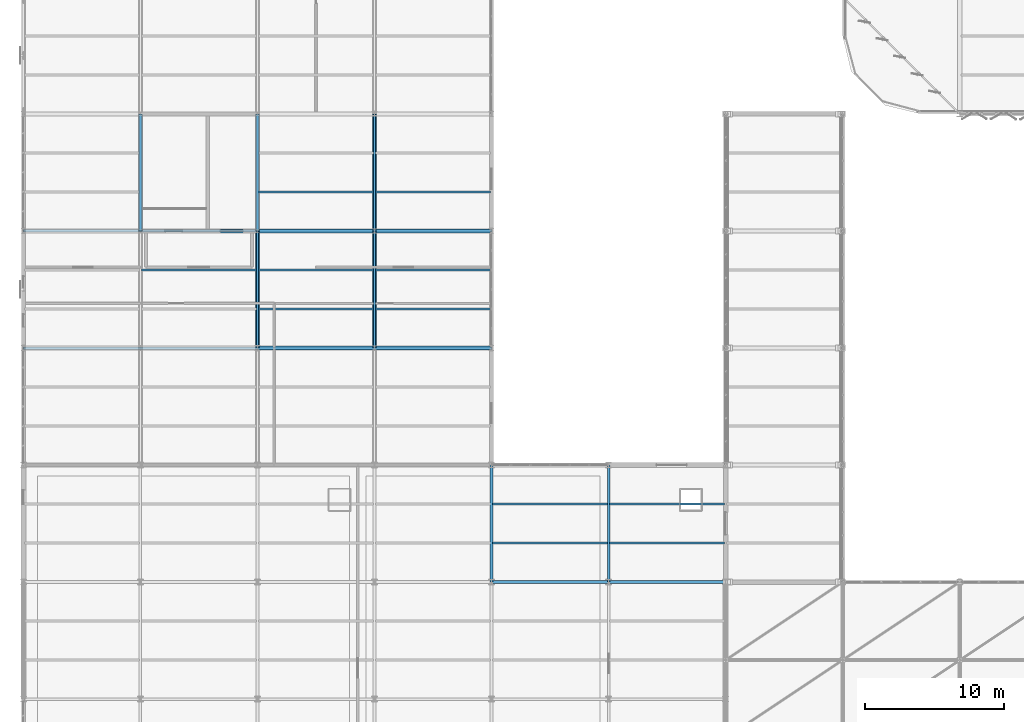
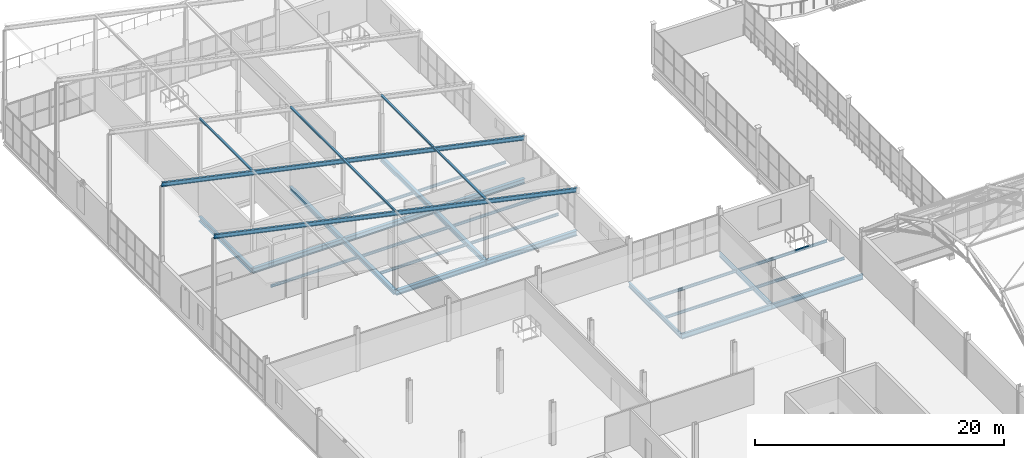
# One storey, part 52 of 184: 27 beams, 5 members.
"""IFC4 building model written with IfcOpenShell, lengths in metres."""

from ifc_helpers import new_model, si_unit, direction, frame, origin, origin_2d, place, context, subcontext, project, spatial, i_section, extrude, material, material_profile, profile_set, type_object, element, save


model = new_model("IFC4")

# Units and contexts
model_context = context("Model", 3, precision=1e-05, world=origin(), true_north=direction((0.0, 1.0)))
body_context = subcontext(model_context, "Body", "Model", "MODEL_VIEW")
ifc_project = project(units=[si_unit("LENGTHUNIT", "METRE"), si_unit("AREAUNIT", "SQUARE_METRE"), si_unit("VOLUMEUNIT", "CUBIC_METRE"), si_unit("PLANEANGLEUNIT", "RADIAN"), si_unit("MASSUNIT", "GRAM", prefix="KILO")], contexts=[model_context])

# Site, building, storey
site_placement = place(None, origin())
site = spatial("IfcSite", under=ifc_project, at=site_placement, CompositionType="ELEMENT")
building_placement = place(site_placement, origin())
building = spatial("IfcBuilding", under=site, at=building_placement, Name="Qalvenar Corner Mobility Hub", CompositionType="ELEMENT")
storey_placement = place(building_placement, frame((0.0, 0.0, 9.0)))
storey = spatial("IfcBuildingStorey", under=building, at=storey_placement, Name="L02", CompositionType="ELEMENT", Elevation=9.0)

# Beams
ifc_material = material(Name="Steel S355", Category="steel")
ifc_material_profile_1 = material_profile(ifc_material, i_section(OverallWidth=0.300048828125, OverallDepth=0.43994140625, WebThickness=0.011474609375, FlangeThickness=0.02099609375, FilletRadius=0.027099609375, at=origin_2d()), Name="HEA450")
ifc_profile_set_1 = profile_set([ifc_material_profile_1], Name="Steel S355")
beam_type_1 = type_object("IfcBeamType", Name="BM-HEA450", PredefinedType="BEAM", material=ifc_profile_set_1)
beam_1_placement = place(storey_placement, frame((8.39990234375, 58.800048828125, -0.39990234375), z_axis=(0.0, 1.0, 0.0), x_axis=(-1.0, 0.0, 0.0)))
element("IfcBeam", 1, at=beam_1_placement, inside=storey, type_object=beam_type_1, Name="Primary Steel Girder GY-1846", PredefinedType="BEAM", context=body_context, shape_type="SweptSolid", body=[
    extrude(i_section(OverallWidth=0.300048828125, OverallDepth=0.43994140625, WebThickness=0.011474609375, FlangeThickness=0.02099609375, FilletRadius=0.027099609375, at=origin_2d()), origin(), (0.0, 0.0, 1.0), 8.39990234375),
])
beam_2_placement = place(storey_placement, frame((16.800048828125, 50.39990234375, -0.39990234375), z_axis=(0.0, 1.0, 0.0), x_axis=(-1.0, 0.0, 0.0)))
element("IfcBeam", 2, at=beam_2_placement, inside=storey, type_object=beam_type_1, Name="Primary Steel Girder GY-1850", PredefinedType="BEAM", context=body_context, shape_type="SweptSolid", body=[
    extrude(i_section(OverallWidth=0.300048828125, OverallDepth=0.43994140625, WebThickness=0.011474609375, FlangeThickness=0.02099609375, FilletRadius=0.027099609375, at=origin_2d()), origin(), (0.0, 0.0, 1.0), 8.400146484375),
])
beam_3_placement = place(storey_placement, frame((16.800048828125, 58.800048828125, -0.39990234375), z_axis=(0.0, 1.0, 0.0), x_axis=(-1.0, 0.0, 0.0)))
element("IfcBeam", 3, at=beam_3_placement, inside=storey, type_object=beam_type_1, Name="Primary Steel Girder GY-1851", PredefinedType="BEAM", context=body_context, shape_type="SweptSolid", body=[
    extrude(i_section(OverallWidth=0.300048828125, OverallDepth=0.43994140625, WebThickness=0.011474609375, FlangeThickness=0.02099609375, FilletRadius=0.027099609375, at=origin_2d()), origin(), (0.0, 0.0, 1.0), 8.39990234375),
])
beam_4_placement = place(storey_placement, frame((25.199951171875, 50.39990234375, -0.39990234375), z_axis=(0.0, 1.0, 0.0), x_axis=(-1.0, 0.0, 0.0)))
element("IfcBeam", 4, at=beam_4_placement, inside=storey, type_object=beam_type_1, Name="Primary Steel Girder GY-1855", PredefinedType="BEAM", context=body_context, shape_type="SweptSolid", body=[
    extrude(i_section(OverallWidth=0.300048828125, OverallDepth=0.43994140625, WebThickness=0.011474609375, FlangeThickness=0.02099609375, FilletRadius=0.027099609375, at=origin_2d()), origin(), (0.0, 0.0, 1.0), 8.400146484375),
])
beam_5_placement = place(storey_placement, frame((25.199951171875, 58.800048828125, -0.39990234375), z_axis=(0.0, 1.0, 0.0), x_axis=(-1.0, 0.0, 0.0)))
element("IfcBeam", 5, at=beam_5_placement, inside=storey, type_object=beam_type_1, Name="Primary Steel Girder GY-1856", PredefinedType="BEAM", context=body_context, shape_type="SweptSolid", body=[
    extrude(i_section(OverallWidth=0.300048828125, OverallDepth=0.43994140625, WebThickness=0.011474609375, FlangeThickness=0.02099609375, FilletRadius=0.027099609375, at=origin_2d()), origin(), (0.0, 0.0, 1.0), 8.39990234375),
])
ifc_material_profile_2 = material_profile(ifc_material, i_section(OverallWidth=0.300048828125, OverallDepth=0.489990234375, WebThickness=0.011962890625, FlangeThickness=0.02294921875, FilletRadius=0.027099609375, at=origin_2d()), Name="HEA500")
ifc_profile_set_2 = profile_set([ifc_material_profile_2], Name="Steel S355")
beam_type_2 = type_object("IfcBeamType", Name="BM-HEA500", PredefinedType="BEAM", material=ifc_profile_set_2)
beam_6_placement = place(storey_placement, frame((16.800048828125, 50.39990234375, -0.425048828125), z_axis=(1.0, 0.0, 0.0), x_axis=(0.0, 1.0, 0.0)))
element("IfcBeam", 6, at=beam_6_placement, inside=storey, type_object=beam_type_2, Name="Primary Steel Girder GX-1821", PredefinedType="BEAM", context=body_context, shape_type="SweptSolid", body=[
    extrude(i_section(OverallWidth=0.300048828125, OverallDepth=0.489990234375, WebThickness=0.011962890625, FlangeThickness=0.02294921875, FilletRadius=0.027099609375, at=origin_2d()), origin(), (0.0, 0.0, 1.0), 8.39990234375),
])
for number, where, z_axis, x_axis, name in (
    (7, (25.199951171875, 50.39990234375, -0.425048828125), (1.0, 0.0, 0.0), (0.0, 1.0, 0.0), "Primary Steel Girder GX-1822"),
    (8, (8.39990234375, 58.800048828125, -0.425048828125), (1.0, 0.0, 0.0), (0.0, 1.0, 0.0), "Primary Steel Girder GX-1824"),
):
    element("IfcBeam", number, at=place(storey_placement, frame(where, z_axis=z_axis, x_axis=x_axis)), inside=storey, type_object=beam_type_2, Name=name, PredefinedType="BEAM", context=body_context, shape_type="SweptSolid", body=[
        extrude(i_section(OverallWidth=0.300048828125, OverallDepth=0.489990234375, WebThickness=0.011962890625, FlangeThickness=0.02294921875, FilletRadius=0.027099609375, at=origin_2d()), origin(), (0.0, 0.0, 1.0), 8.400146484375),
    ])
beam_7_placement = place(storey_placement, frame((16.800048828125, 58.800048828125, -0.425048828125), z_axis=(1.0, 0.0, 0.0), x_axis=(0.0, 1.0, 0.0)))
element("IfcBeam", 9, at=beam_7_placement, inside=storey, type_object=beam_type_2, Name="Primary Steel Girder GX-1825", PredefinedType="BEAM", context=body_context, shape_type="SweptSolid", body=[
    extrude(i_section(OverallWidth=0.300048828125, OverallDepth=0.489990234375, WebThickness=0.011962890625, FlangeThickness=0.02294921875, FilletRadius=0.027099609375, at=origin_2d()), origin(), (0.0, 0.0, 1.0), 8.39990234375),
])
beam_8_placement = place(storey_placement, frame((25.199951171875, 58.800048828125, -0.425048828125), z_axis=(1.0, 0.0, 0.0), x_axis=(0.0, 1.0, 0.0)))
element("IfcBeam", 10, at=beam_8_placement, inside=storey, type_object=beam_type_2, Name="Primary Steel Girder GX-1826", PredefinedType="BEAM", context=body_context, shape_type="SweptSolid", body=[
    extrude(i_section(OverallWidth=0.300048828125, OverallDepth=0.489990234375, WebThickness=0.011962890625, FlangeThickness=0.02294921875, FilletRadius=0.027099609375, at=origin_2d()), origin(), (0.0, 0.0, 1.0), 8.400146484375),
])
ifc_material_profile_3 = material_profile(ifc_material, i_section(OverallWidth=0.179931640625, OverallDepth=0.39990234375, WebThickness=0.008544921875, FlangeThickness=0.013427734375, FilletRadius=0.02099609375, at=origin_2d()), Name="IPE400")
ifc_profile_set_3 = profile_set([ifc_material_profile_3], Name="Steel S355")
beam_type_3 = type_object("IfcBeamType", Name="BM-IPE400", PredefinedType="BEAM", material=ifc_profile_set_3)
for number, where, z_axis, x_axis, name in (
    (11, (0.0, 50.39990234375, 10.93994140625), (0.977802829965, 0.0, -0.209527147912), (0.0, 1.0, 0.0), "Bicycle Hall Rafter V5RF-2"),
    (12, (0.0, 58.800048828125, 10.93994140625), (0.977802829965, 0.0, -0.209527147912), (0.0, 1.0, 0.0), "Bicycle Hall Rafter V5RF-3"),
):
    element("IfcBeam", number, at=place(storey_placement, frame(where, z_axis=z_axis, x_axis=x_axis)), inside=storey, type_object=beam_type_3, Name=name, PredefinedType="BEAM", context=body_context, shape_type="SweptSolid", body=[
        extrude(i_section(OverallWidth=0.179931640625, OverallDepth=0.39990234375, WebThickness=0.008544921875, FlangeThickness=0.013427734375, FilletRadius=0.02099609375, at=origin_2d()), origin(), (0.0, 0.0, 1.0), 34.36279296875),
    ])
ifc_material_profile_4 = material_profile(ifc_material, i_section(OverallWidth=0.18994140625, OverallDepth=0.449951171875, WebThickness=0.009521484375, FlangeThickness=0.0146484375, FilletRadius=0.02099609375, at=origin_2d()), Name="IPE450")
ifc_profile_set_4 = profile_set([ifc_material_profile_4], Name="Steel S355")
beam_type_4 = type_object("IfcBeamType", Name="BM-IPE450", PredefinedType="BEAM", material=ifc_profile_set_4)
for number, where, z_axis, x_axis, name in (
    (13, (33.60009765625, 33.60009765625, -0.405029296875), (0.0, 1.0, 0.0), (-1.0, 0.0, 0.0), "Primary Steel Girder GY-1601"),
    (14, (42.0, 33.60009765625, -0.405029296875), (0.0, 1.0, 0.0), (-1.0, 0.0, 0.0), "Primary Steel Girder GY-1606"),
):
    element("IfcBeam", number, at=place(storey_placement, frame(where, z_axis=z_axis, x_axis=x_axis)), inside=storey, type_object=beam_type_4, Name=name, PredefinedType="BEAM", context=body_context, shape_type="SweptSolid", body=[
        extrude(i_section(OverallWidth=0.18994140625, OverallDepth=0.449951171875, WebThickness=0.009521484375, FlangeThickness=0.0146484375, FilletRadius=0.02099609375, at=origin_2d()), origin(), (0.0, 0.0, 1.0), 8.39990234375),
    ])
ifc_material_profile_5 = material_profile(ifc_material, i_section(OverallWidth=0.199951171875, OverallDepth=0.5, WebThickness=0.01025390625, FlangeThickness=0.01611328125, FilletRadius=0.02099609375, at=origin_2d()), Name="IPE500")
ifc_profile_set_5 = profile_set([ifc_material_profile_5], Name="Steel S355")
beam_type_5 = type_object("IfcBeamType", Name="BM-IPE500", PredefinedType="BEAM", material=ifc_profile_set_5)
for number, where, z_axis, x_axis, name in (
    (15, (33.60009765625, 33.60009765625, -0.429931640625), (1.0, 0.0, 0.0), (0.0, 1.0, 0.0), "Primary Steel Girder GX-1569"),
    (16, (42.0, 33.60009765625, -0.429931640625), (1.0, 0.0, 0.0), (0.0, 1.0, 0.0), "Primary Steel Girder GX-1570"),
):
    element("IfcBeam", number, at=place(storey_placement, frame(where, z_axis=z_axis, x_axis=x_axis)), inside=storey, type_object=beam_type_5, Name=name, PredefinedType="BEAM", context=body_context, shape_type="SweptSolid", body=[
        extrude(i_section(OverallWidth=0.199951171875, OverallDepth=0.5, WebThickness=0.01025390625, FlangeThickness=0.01611328125, FilletRadius=0.02099609375, at=origin_2d()), origin(), (0.0, 0.0, 1.0), 8.39990234375),
    ])
ifc_material_profile_6 = material_profile(ifc_material, i_section(OverallWidth=0.14599609375, OverallDepth=0.258056640625, WebThickness=0.006103515625, FlangeThickness=0.009033203125, FilletRadius=0.011962890625, at=origin_2d()), Name="W250x32.7")
ifc_profile_set_6 = profile_set([ifc_material_profile_6], Name="Steel S355")
beam_type_6 = type_object("IfcBeamType", Name="BM-JST250", PredefinedType="JOIST", material=ifc_profile_set_6)
beam_9_placement = place(storey_placement, frame((8.47802734375, 56.0, -0.30908203125), z_axis=(1.0, 0.0, 0.0), x_axis=(0.0, 1.0, 0.0)))
element("IfcBeam", 17, at=beam_9_placement, inside=storey, type_object=beam_type_6, Name="Composite Floor Joist J-1877", PredefinedType="JOIST", context=body_context, shape_type="SweptSolid", body=[
    extrude(i_section(OverallWidth=0.14599609375, OverallDepth=0.258056640625, WebThickness=0.006103515625, FlangeThickness=0.009033203125, FilletRadius=0.011962890625, at=origin_2d()), origin(), (0.0, 0.0, 1.0), 8.243896484375),
])
for number, where, z_axis, x_axis, name in (
    (18, (16.8779296875, 53.199951171875, -0.30908203125), (1.0, 0.0, 0.0), (0.0, 1.0, 0.0), "Composite Floor Joist J-1884"),
    (19, (16.8779296875, 56.0, -0.30908203125), (1.0, 0.0, 0.0), (0.0, 1.0, 0.0), "Composite Floor Joist J-1885"),
    (20, (16.8779296875, 61.60009765625, -0.30908203125), (1.0, 0.0, 0.0), (0.0, 1.0, 0.0), "Composite Floor Joist J-1886"),
):
    element("IfcBeam", number, at=place(storey_placement, frame(where, z_axis=z_axis, x_axis=x_axis)), inside=storey, type_object=beam_type_6, Name=name, PredefinedType="JOIST", context=body_context, shape_type="SweptSolid", body=[
        extrude(i_section(OverallWidth=0.14599609375, OverallDepth=0.258056640625, WebThickness=0.006103515625, FlangeThickness=0.009033203125, FilletRadius=0.011962890625, at=origin_2d()), origin(), (0.0, 0.0, 1.0), 8.244140625),
    ])
for number, where, z_axis, x_axis, name in (
    (21, (25.278076171875, 53.199951171875, -0.30908203125), (1.0, 0.0, 0.0), (0.0, 1.0, 0.0), "Composite Floor Joist J-1894"),
    (22, (25.278076171875, 56.0, -0.30908203125), (1.0, 0.0, 0.0), (0.0, 1.0, 0.0), "Composite Floor Joist J-1895"),
    (23, (25.278076171875, 61.60009765625, -0.30908203125), (1.0, 0.0, 0.0), (0.0, 1.0, 0.0), "Composite Floor Joist J-1896"),
):
    element("IfcBeam", number, at=place(storey_placement, frame(where, z_axis=z_axis, x_axis=x_axis)), inside=storey, type_object=beam_type_6, Name=name, PredefinedType="JOIST", context=body_context, shape_type="SweptSolid", body=[
        extrude(i_section(OverallWidth=0.14599609375, OverallDepth=0.258056640625, WebThickness=0.006103515625, FlangeThickness=0.009033203125, FilletRadius=0.011962890625, at=origin_2d()), origin(), (0.0, 0.0, 1.0), 8.243896484375),
    ])
ifc_material_profile_7 = material_profile(ifc_material, i_section(OverallWidth=0.135009765625, OverallDepth=0.27001953125, WebThickness=0.006591796875, FlangeThickness=0.01025390625, FilletRadius=0.014892578125, at=origin_2d()), Name="IPE270")
ifc_profile_set_7 = profile_set([ifc_material_profile_7], Name="Steel S355")
beam_type_7 = type_object("IfcBeamType", Name="BM-JST270", PredefinedType="JOIST", material=ifc_profile_set_7)
for number, where, z_axis, x_axis, name in (
    (24, (33.677978515625, 36.39990234375, -0.31494140625), (1.0, 0.0, 0.0), (0.0, 1.0, 0.0), "Composite Floor Joist J-1657"),
    (25, (33.677978515625, 39.199951171875, -0.31494140625), (1.0, 0.0, 0.0), (0.0, 1.0, 0.0), "Composite Floor Joist J-1658"),
    (26, (42.077880859375, 36.39990234375, -0.31494140625), (1.0, 0.0, 0.0), (0.0, 1.0, 0.0), "Composite Floor Joist J-1667"),
    (27, (42.077880859375, 39.199951171875, -0.31494140625), (1.0, 0.0, 0.0), (0.0, 1.0, 0.0), "Composite Floor Joist J-1668"),
):
    element("IfcBeam", number, at=place(storey_placement, frame(where, z_axis=z_axis, x_axis=x_axis)), inside=storey, type_object=beam_type_7, Name=name, PredefinedType="JOIST", context=body_context, shape_type="SweptSolid", body=[
        extrude(i_section(OverallWidth=0.135009765625, OverallDepth=0.27001953125, WebThickness=0.006591796875, FlangeThickness=0.01025390625, FilletRadius=0.014892578125, at=origin_2d()), origin(), (0.0, 0.0, 1.0), 8.244140625),
    ])

# Members
ifc_material_profile_8 = material_profile(ifc_material, i_section(OverallWidth=0.159912109375, OverallDepth=0.159912109375, WebThickness=0.008056640625, FlangeThickness=0.012939453125, FilletRadius=0.014892578125, at=origin_2d()), Name="HEB160")
ifc_profile_set_8 = profile_set([ifc_material_profile_8], Name="Steel S355")
member_type = type_object("IfcMemberType", Name="PR-RHS160", PredefinedType="PURLIN", material=ifc_profile_set_8)
for number, where, z_axis, x_axis, name in (
    (28, (16.800048828125, 50.39990234375, 7.550048828125), (0.0, 1.0, 0.0), (-1.0, 0.0, 0.0), "Bicycle Hall Roof Purlin PR-V5-2-16"),
    (29, (25.199951171875, 50.39990234375, 5.75), (0.0, 1.0, 0.0), (-1.0, 0.0, 0.0), "Bicycle Hall Roof Purlin PR-V5-2-25"),
):
    element("IfcMember", number, at=place(storey_placement, frame(where, z_axis=z_axis, x_axis=x_axis)), inside=storey, type_object=member_type, Name=name, PredefinedType="PURLIN", context=body_context, shape_type="SweptSolid", body=[
        extrude(i_section(OverallWidth=0.159912109375, OverallDepth=0.159912109375, WebThickness=0.008056640625, FlangeThickness=0.012939453125, FilletRadius=0.014892578125, at=origin_2d()), origin(), (0.0, 0.0, 1.0), 8.400146484375),
    ])
for number, where, z_axis, x_axis, name in (
    (30, (8.39990234375, 58.800048828125, 9.35009765625), (0.0, 1.0, 0.0), (-1.0, 0.0, 0.0), "Bicycle Hall Roof Purlin PR-V5-3-8"),
    (31, (16.800048828125, 58.800048828125, 7.550048828125), (0.0, 1.0, 0.0), (-1.0, 0.0, 0.0), "Bicycle Hall Roof Purlin PR-V5-3-16"),
    (32, (25.199951171875, 58.800048828125, 5.75), (0.0, 1.0, 0.0), (-1.0, 0.0, 0.0), "Bicycle Hall Roof Purlin PR-V5-3-25"),
):
    element("IfcMember", number, at=place(storey_placement, frame(where, z_axis=z_axis, x_axis=x_axis)), inside=storey, type_object=member_type, Name=name, PredefinedType="PURLIN", context=body_context, shape_type="SweptSolid", body=[
        extrude(i_section(OverallWidth=0.159912109375, OverallDepth=0.159912109375, WebThickness=0.008056640625, FlangeThickness=0.012939453125, FilletRadius=0.014892578125, at=origin_2d()), origin(), (0.0, 0.0, 1.0), 8.39990234375),
    ])

save(model, "model.ifc")
